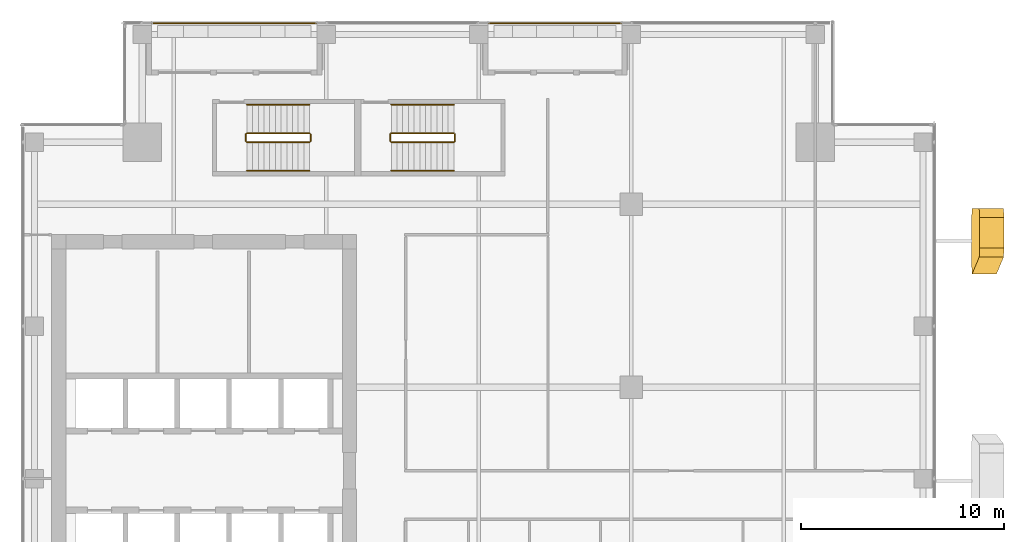
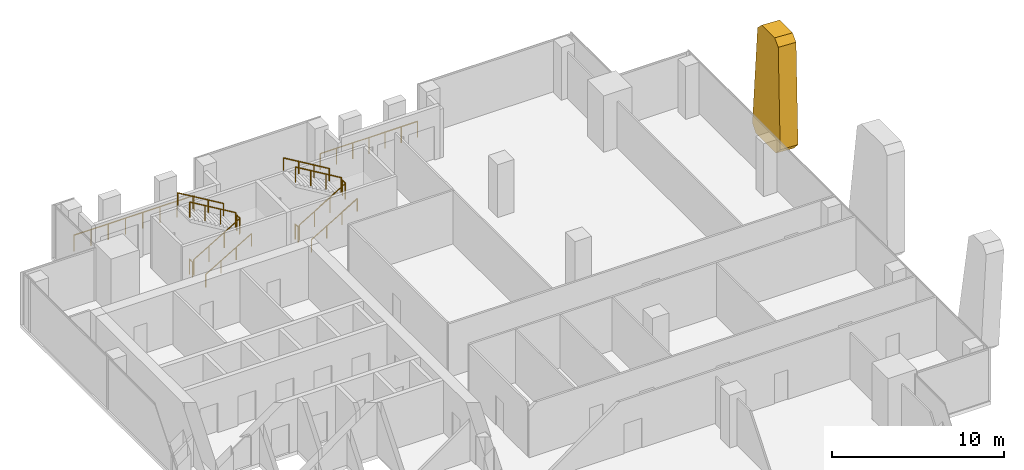
# One storey, part 35 of 36: 14 railings, 1 covering.
"""IFC4 building model written with IfcOpenShell, lengths in metres."""

from ifc_helpers import new_model, si_unit, direction, frame, origin, origin_2d, place, context, subcontext, project, spatial, polyline, circle, outline, extrude, source, transform, mapped, material, layer, layer_set, type_object, element, save


model = new_model("IFC4")

# Units and contexts
model_context = context("Model", 3, precision=1e-05, world=origin(), true_north=direction((0.0, 1.0)))
body_context = subcontext(model_context, "Body", "Model", "MODEL_VIEW")
ifc_project = project(units=[si_unit("LENGTHUNIT", "METRE"), si_unit("AREAUNIT", "SQUARE_METRE"), si_unit("VOLUMEUNIT", "CUBIC_METRE"), si_unit("PLANEANGLEUNIT", "RADIAN"), si_unit("MASSUNIT", "GRAM", prefix="KILO")], contexts=[model_context])

# Site, building, storey
site_placement = place(None, origin())
site = spatial("IfcSite", under=ifc_project, at=site_placement, CompositionType="ELEMENT")
building_placement = place(site_placement, origin())
building = spatial("IfcBuilding", under=site, at=building_placement, Name="Khomas Fold Tower", CompositionType="ELEMENT")
storey_placement = place(building_placement, frame((0.0, 0.0, 238.199951171875)))
storey = spatial("IfcBuildingStorey", under=building, at=storey_placement, Name="L53", CompositionType="ELEMENT", Elevation=238.199951171875)

# Covering
ifc_material_1 = material(Name="Natural stone cladding", Category="masonry")
ifc_layer = layer(ifc_material_1, 1.199951171875)
ifc_layer_set = layer_set([ifc_layer], Name="Natural stone cladding")
covering_type = type_object("IfcCoveringType", Name="SK-Karibib marble stone panel", PredefinedType="CLADDING", material=ifc_layer_set)
covering_placement = place(storey_placement, frame((51.610595703125, 40.300048828125, 7.10009765625), z_axis=(-0.998629243575, -2.118105e-06, 0.05234151195), x_axis=(-0.05234151195, -5.3e-11, -0.998629243577)))
element("IfcCovering", 1, at=covering_placement, inside=storey, type_object=covering_type, Name="OUTER SKIN leaf L53 ES09-3", PredefinedType="CLADDING", context=body_context, shape_type="SweptSolid", body=[
    extrude(outline(polyline([(0.0, 0.0), (6.659265943198566, 2.117582368135751e-22), (7.109839874514352, 0.44995117164228127), (7.109839874638868, 2.7856445310120415), (6.603281032501125, 3.2321777343693605), (-0.055741104774086885, 2.4008789062732787), (-0.4505739311876121, 1.9543457033523248), (-0.45057393126781164, 0.4499511721056999), (0.0, 0.0)])), origin(), (0.0, 0.0, -1.0), 1.199951171875),
])

# Railings
ifc_material_2 = material(Name="Powder-coated steel", Category="steel")
railing_type_1 = type_object("IfcRailingType", Name="Balcony guard", PredefinedType="GUARDRAIL", material=ifc_material_2)
shared_shape_1 = source(origin(), body_context, "Body", "SweptSolid", [
    extrude(circle(Radius=0.02490234375, at=origin_2d()), frame((0.0, 0.0, 1.125), z_axis=(1.0, 0.0, 0.0), x_axis=(0.0, 1.0, 0.0)), (0.0, 0.0, 1.0), 8.090087890625),
    extrude(circle(Radius=0.02001953125, at=origin_2d()), origin(), (0.0, 0.0, 1.0), 1.099853515625),
    extrude(circle(Radius=0.02001953125, at=origin_2d()), frame((1.15576171875, 0.0, 0.0)), (0.0, 0.0, 1.0), 1.099853515625),
    extrude(circle(Radius=0.02001953125, at=origin_2d()), frame((2.3115234375, 0.0, 0.0)), (0.0, 0.0, 1.0), 1.099853515625),
    extrude(circle(Radius=0.02001953125, at=origin_2d()), frame((3.46728515625, 0.0, 0.0)), (0.0, 0.0, 1.0), 1.099853515625),
    extrude(circle(Radius=0.02001953125, at=origin_2d()), frame((4.622802734375, 0.0, 0.0)), (0.0, 0.0, 1.0), 1.099853515625),
    extrude(circle(Radius=0.02001953125, at=origin_2d()), frame((5.778564453125, 0.0, 0.0)), (0.0, 0.0, 1.0), 1.099853515625),
    extrude(circle(Radius=0.02001953125, at=origin_2d()), frame((6.934326171875, 0.0, 0.0)), (0.0, 0.0, 1.0), 1.099853515625),
    extrude(circle(Radius=0.02001953125, at=origin_2d()), frame((8.090087890625, 0.0, 0.0)), (0.0, 0.0, 1.0), 1.099853515625),
])
railing_1_placement = place(storey_placement, frame((10.929931640625, 49.39990234375, -0.044921875)))
element("IfcRailing", 2, at=railing_1_placement, inside=storey, type_object=railing_type_1, Name="Balcony guard BAL-L53-N1", PredefinedType="GUARDRAIL", context=body_context, shape_type="MappedRepresentation", body=[
    mapped(shared_shape_1, transform((0.0, 0.0, 0.0))),
])
shared_shape_2 = source(origin(), body_context, "Body", "SweptSolid", [
    extrude(circle(Radius=0.02490234375, at=origin_2d()), frame((0.0, 0.0, 1.125), z_axis=(1.0, 0.0, 0.0), x_axis=(0.0, 1.0, 0.0)), (0.0, 0.0, 1.0), 6.5400390625),
    extrude(circle(Radius=0.02001953125, at=origin_2d()), origin(), (0.0, 0.0, 1.0), 1.099853515625),
    extrude(circle(Radius=0.02001953125, at=origin_2d()), frame((1.090087890625, 0.0, 0.0)), (0.0, 0.0, 1.0), 1.099853515625),
    extrude(circle(Radius=0.02001953125, at=origin_2d()), frame((2.179931640625, 0.0, 0.0)), (0.0, 0.0, 1.0), 1.099853515625),
    extrude(circle(Radius=0.02001953125, at=origin_2d()), frame((3.27001953125, 0.0, 0.0)), (0.0, 0.0, 1.0), 1.099853515625),
    extrude(circle(Radius=0.02001953125, at=origin_2d()), frame((4.360107421875, 0.0, 0.0)), (0.0, 0.0, 1.0), 1.099853515625),
    extrude(circle(Radius=0.02001953125, at=origin_2d()), frame((5.449951171875, 0.0, 0.0)), (0.0, 0.0, 1.0), 1.099853515625),
    extrude(circle(Radius=0.02001953125, at=origin_2d()), frame((6.5400390625, 0.0, 0.0)), (0.0, 0.0, 1.0), 1.099853515625),
])
railing_2_placement = place(storey_placement, frame((27.47998046875, 49.39990234375, -0.044921875)))
element("IfcRailing", 3, at=railing_2_placement, inside=storey, type_object=railing_type_1, Name="Balcony guard BAL-L53-N3", PredefinedType="GUARDRAIL", context=body_context, shape_type="MappedRepresentation", body=[
    mapped(shared_shape_2, transform((0.0, 0.0, 0.0))),
])
ifc_material_3 = material(Name="Steel balustrade", Category="steel")
railing_type_2 = type_object("IfcRailingType", Name="Stair guard", PredefinedType="GUARDRAIL", material=ifc_material_3)
shared_shape_3 = source(origin(), body_context, "Body", "SweptSolid", [
    extrude(circle(Radius=0.02392578125, at=origin_2d()), frame((0.0, 0.0, 1.076171875), z_axis=(0.0, 1.0, 0.0), x_axis=(-1.0, 0.0, 0.0)), (0.0, 0.0, 1.0), 0.349853515625),
    extrude(circle(Radius=0.02099609375, at=origin_2d()), origin(), (0.0, 0.0, 1.0), 1.052001953125),
    extrude(circle(Radius=0.02099609375, at=origin_2d()), frame((0.0, 0.349853515625, 0.0)), (0.0, 0.0, 1.0), 1.052001953125),
])
for number, where, name in (
    (4, (18.72998046875, 43.60009765625, 2.0), "L53 ST1 stair guard 2"),
    (5, (15.550048828125, 43.60009765625, 0.0), "L53 ST1 stair guard 4"),
    (6, (25.830078125, 43.60009765625, 2.0), "L53 ST3 stair guard 2"),
    (7, (22.64990234375, 43.60009765625, 0.0), "L53 ST3 stair guard 4"),
):
    element("IfcRailing", number, at=place(storey_placement, frame(where)), inside=storey, type_object=railing_type_2, Name=name, PredefinedType="GUARDRAIL", context=body_context, shape_type="MappedRepresentation", body=[
        mapped(shared_shape_3, transform((0.0, 0.0, 0.0))),
    ])
shared_shape_4 = source(origin(), body_context, "Body", "SweptSolid", [
    extrude(circle(Radius=0.02392578125, at=origin_2d()), frame((0.0, 0.0, 1.076171875), z_axis=(0.859290745958, 0.0, 0.51148745235), x_axis=(0.0, 1.0, 0.0)), (0.0, 0.0, 1.0), 3.584228515625),
    extrude(circle(Radius=0.02099609375, at=origin_2d()), origin(), (0.0, 0.0, 1.0), 1.052001953125),
    extrude(circle(Radius=0.02099609375, at=origin_2d()), frame((1.026611328125, 0.0, 0.611083984375)), (0.0, 0.0, 1.0), 1.052001953125),
    extrude(circle(Radius=0.02099609375, at=origin_2d()), frame((2.05322265625, 0.0, 1.22216796875)), (0.0, 0.0, 1.0), 1.052001953125),
    extrude(circle(Radius=0.02099609375, at=origin_2d()), frame((3.079833984375, 0.0, 1.833251953125)), (0.0, 0.0, 1.0), 1.052001953125),
])
railing_3_placement = place(storey_placement, frame((15.60009765625, 43.550048828125, 0.166748046875)))
element("IfcRailing", 8, at=railing_3_placement, inside=storey, type_object=railing_type_2, Name="L53 ST1 stair guard 1", PredefinedType="GUARDRAIL", context=body_context, shape_type="MappedRepresentation", body=[
    mapped(shared_shape_4, transform((0.0, 0.0, 0.0))),
])
shared_shape_5 = source(origin(), body_context, "Body", "SweptSolid", [
    extrude(circle(Radius=0.02392578125, at=origin_2d()), frame((0.0, 0.0, 1.076171875), z_axis=(-0.859290745958, 0.0, 0.51148745235), x_axis=(0.0, -1.0, 0.0)), (0.0, 0.0, 1.0), 3.584228515625),
    extrude(circle(Radius=0.02099609375, at=origin_2d()), origin(), (0.0, 0.0, 1.0), 1.052001953125),
    extrude(circle(Radius=0.02099609375, at=origin_2d()), frame((-1.026611328125, 0.0, 0.611083984375)), (0.0, 0.0, 1.0), 1.052001953125),
    extrude(circle(Radius=0.02099609375, at=origin_2d()), frame((-2.05322265625, 0.0, 1.22216796875)), (0.0, 0.0, 1.0), 1.052001953125),
    extrude(circle(Radius=0.02099609375, at=origin_2d()), frame((-3.079833984375, 0.0, 1.833251953125)), (0.0, 0.0, 1.0), 1.052001953125),
])
railing_4_placement = place(storey_placement, frame((18.679931640625, 44.0, 2.166748046875)))
element("IfcRailing", 9, at=railing_4_placement, inside=storey, type_object=railing_type_2, Name="L53 ST1 stair guard 3", PredefinedType="GUARDRAIL", context=body_context, shape_type="MappedRepresentation", body=[
    mapped(shared_shape_5, transform((0.0, 0.0, 0.0))),
])
ifc_material_4 = material(Name="Steel handrail", Category="steel")
railing_type_3 = type_object("IfcRailingType", Name="Stair handrail", PredefinedType="HANDRAIL", material=ifc_material_4)
shared_shape_6 = source(origin(), body_context, "Body", "SweptSolid", [
    extrude(circle(Radius=0.02392578125, at=origin_2d()), frame((0.0, 0.0, 0.8759765625), z_axis=(0.859290745958, 0.0, 0.51148745235), x_axis=(0.0, 1.0, 0.0)), (0.0, 0.0, 1.0), 3.584228515625),
    extrude(circle(Radius=0.02099609375, at=origin_2d()), origin(), (0.0, 0.0, 1.0), 0.851806640625),
    extrude(circle(Radius=0.02099609375, at=origin_2d()), frame((1.026611328125, 0.0, 0.611083984375)), (0.0, 0.0, 1.0), 0.851806640625),
    extrude(circle(Radius=0.02099609375, at=origin_2d()), frame((2.05322265625, 0.0, 1.22216796875)), (0.0, 0.0, 1.0), 0.851806640625),
    extrude(circle(Radius=0.02099609375, at=origin_2d()), frame((3.079833984375, 0.0, 1.833251953125)), (0.0, 0.0, 1.0), 0.851806640625),
])
railing_5_placement = place(storey_placement, frame((15.60009765625, 42.14990234375, 0.166748046875)))
element("IfcRailing", 10, at=railing_5_placement, inside=storey, type_object=railing_type_3, Name="L53 ST1 stair handrail 1", PredefinedType="HANDRAIL", context=body_context, shape_type="MappedRepresentation", body=[
    mapped(shared_shape_6, transform((0.0, 0.0, 0.0))),
])
shared_shape_7 = source(origin(), body_context, "Body", "SweptSolid", [
    extrude(circle(Radius=0.02392578125, at=origin_2d()), frame((0.0, 0.0, 0.8759765625), z_axis=(-0.859290745958, 0.0, 0.51148745235), x_axis=(0.0, -1.0, 0.0)), (0.0, 0.0, 1.0), 3.584228515625),
    extrude(circle(Radius=0.02099609375, at=origin_2d()), origin(), (0.0, 0.0, 1.0), 0.851806640625),
    extrude(circle(Radius=0.02099609375, at=origin_2d()), frame((-1.026611328125, 0.0, 0.611083984375)), (0.0, 0.0, 1.0), 0.851806640625),
    extrude(circle(Radius=0.02099609375, at=origin_2d()), frame((-2.05322265625, 0.0, 1.22216796875)), (0.0, 0.0, 1.0), 0.851806640625),
    extrude(circle(Radius=0.02099609375, at=origin_2d()), frame((-3.079833984375, 0.0, 1.833251953125)), (0.0, 0.0, 1.0), 0.851806640625),
])
railing_6_placement = place(storey_placement, frame((18.679931640625, 45.39990234375, 2.166748046875)))
element("IfcRailing", 11, at=railing_6_placement, inside=storey, type_object=railing_type_3, Name="L53 ST1 stair handrail 2", PredefinedType="HANDRAIL", context=body_context, shape_type="MappedRepresentation", body=[
    mapped(shared_shape_7, transform((0.0, 0.0, 0.0))),
])
shared_shape_8 = source(origin(), body_context, "Body", "SweptSolid", [
    extrude(circle(Radius=0.02392578125, at=origin_2d()), frame((0.0, 0.0, 1.076171875), z_axis=(0.859308565015, 0.0, 0.511457515432), x_axis=(0.0, 1.0, 0.0)), (0.0, 0.0, 1.0), 3.58447265625),
    extrude(circle(Radius=0.02099609375, at=origin_2d()), origin(), (0.0, 0.0, 1.0), 1.052001953125),
    extrude(circle(Radius=0.02099609375, at=origin_2d()), frame((1.026611328125, 0.0, 0.611083984375)), (0.0, 0.0, 1.0), 1.052001953125),
    extrude(circle(Radius=0.02099609375, at=origin_2d()), frame((2.053466796875, 0.0, 1.22216796875)), (0.0, 0.0, 1.0), 1.052001953125),
    extrude(circle(Radius=0.02099609375, at=origin_2d()), frame((3.080078125, 0.0, 1.833251953125)), (0.0, 0.0, 1.0), 1.052001953125),
])
railing_7_placement = place(storey_placement, frame((22.699951171875, 43.550048828125, 0.166748046875)))
element("IfcRailing", 12, at=railing_7_placement, inside=storey, type_object=railing_type_2, Name="L53 ST3 stair guard 1", PredefinedType="GUARDRAIL", context=body_context, shape_type="MappedRepresentation", body=[
    mapped(shared_shape_8, transform((0.0, 0.0, 0.0))),
])
shared_shape_9 = source(origin(), body_context, "Body", "SweptSolid", [
    extrude(circle(Radius=0.02392578125, at=origin_2d()), frame((0.0, 0.0, 1.076171875), z_axis=(-0.859308565015, 0.0, 0.511457515432), x_axis=(0.0, -1.0, 0.0)), (0.0, 0.0, 1.0), 3.58447265625),
    extrude(circle(Radius=0.02099609375, at=origin_2d()), origin(), (0.0, 0.0, 1.0), 1.052001953125),
    extrude(circle(Radius=0.02099609375, at=origin_2d()), frame((-1.026611328125, 0.0, 0.611083984375)), (0.0, 0.0, 1.0), 1.052001953125),
    extrude(circle(Radius=0.02099609375, at=origin_2d()), frame((-2.053466796875, 0.0, 1.22216796875)), (0.0, 0.0, 1.0), 1.052001953125),
    extrude(circle(Radius=0.02099609375, at=origin_2d()), frame((-3.080078125, 0.0, 1.833251953125)), (0.0, 0.0, 1.0), 1.052001953125),
])
railing_8_placement = place(storey_placement, frame((25.780029296875, 44.0, 2.166748046875)))
element("IfcRailing", 13, at=railing_8_placement, inside=storey, type_object=railing_type_2, Name="L53 ST3 stair guard 3", PredefinedType="GUARDRAIL", context=body_context, shape_type="MappedRepresentation", body=[
    mapped(shared_shape_9, transform((0.0, 0.0, 0.0))),
])
shared_shape_10 = source(origin(), body_context, "Body", "SweptSolid", [
    extrude(circle(Radius=0.02392578125, at=origin_2d()), frame((0.0, 0.0, 0.8759765625), z_axis=(0.859308565015, 0.0, 0.511457515432), x_axis=(0.0, 1.0, 0.0)), (0.0, 0.0, 1.0), 3.58447265625),
    extrude(circle(Radius=0.02099609375, at=origin_2d()), origin(), (0.0, 0.0, 1.0), 0.851806640625),
    extrude(circle(Radius=0.02099609375, at=origin_2d()), frame((1.026611328125, 0.0, 0.611083984375)), (0.0, 0.0, 1.0), 0.851806640625),
    extrude(circle(Radius=0.02099609375, at=origin_2d()), frame((2.053466796875, 0.0, 1.22216796875)), (0.0, 0.0, 1.0), 0.851806640625),
    extrude(circle(Radius=0.02099609375, at=origin_2d()), frame((3.080078125, 0.0, 1.833251953125)), (0.0, 0.0, 1.0), 0.851806640625),
])
railing_9_placement = place(storey_placement, frame((22.699951171875, 42.14990234375, 0.166748046875)))
element("IfcRailing", 14, at=railing_9_placement, inside=storey, type_object=railing_type_3, Name="L53 ST3 stair handrail 1", PredefinedType="HANDRAIL", context=body_context, shape_type="MappedRepresentation", body=[
    mapped(shared_shape_10, transform((0.0, 0.0, 0.0))),
])
shared_shape_11 = source(origin(), body_context, "Body", "SweptSolid", [
    extrude(circle(Radius=0.02392578125, at=origin_2d()), frame((0.0, 0.0, 0.8759765625), z_axis=(-0.859308565015, 0.0, 0.511457515432), x_axis=(0.0, -1.0, 0.0)), (0.0, 0.0, 1.0), 3.58447265625),
    extrude(circle(Radius=0.02099609375, at=origin_2d()), origin(), (0.0, 0.0, 1.0), 0.851806640625),
    extrude(circle(Radius=0.02099609375, at=origin_2d()), frame((-1.026611328125, 0.0, 0.611083984375)), (0.0, 0.0, 1.0), 0.851806640625),
    extrude(circle(Radius=0.02099609375, at=origin_2d()), frame((-2.053466796875, 0.0, 1.22216796875)), (0.0, 0.0, 1.0), 0.851806640625),
    extrude(circle(Radius=0.02099609375, at=origin_2d()), frame((-3.080078125, 0.0, 1.833251953125)), (0.0, 0.0, 1.0), 0.851806640625),
])
railing_10_placement = place(storey_placement, frame((25.780029296875, 45.39990234375, 2.166748046875)))
element("IfcRailing", 15, at=railing_10_placement, inside=storey, type_object=railing_type_3, Name="L53 ST3 stair handrail 2", PredefinedType="HANDRAIL", context=body_context, shape_type="MappedRepresentation", body=[
    mapped(shared_shape_11, transform((0.0, 0.0, 0.0))),
])

save(model, "model.ifc")
